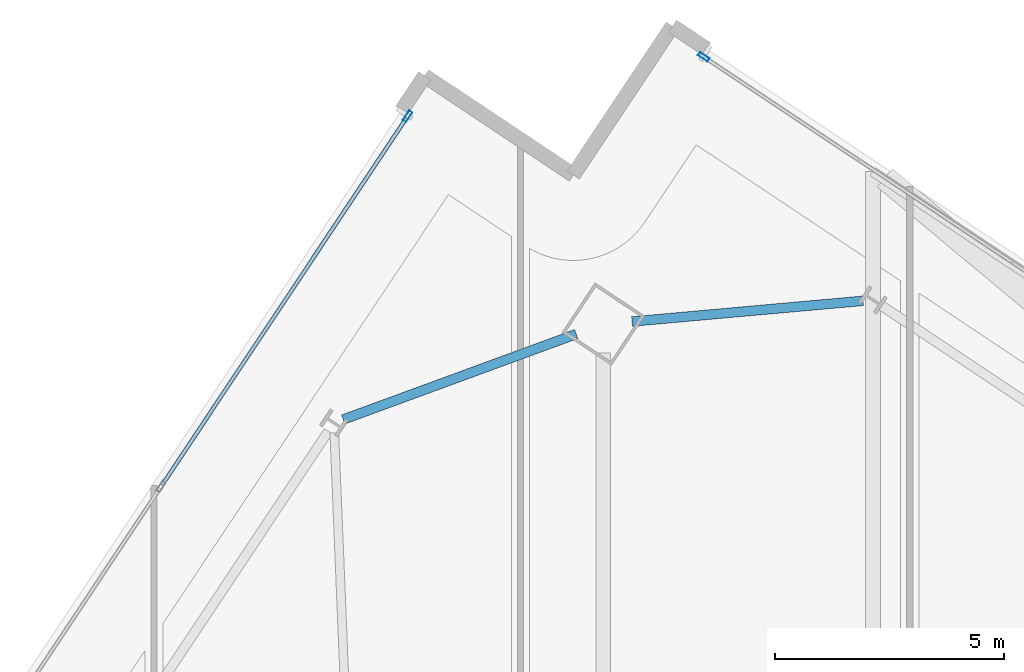
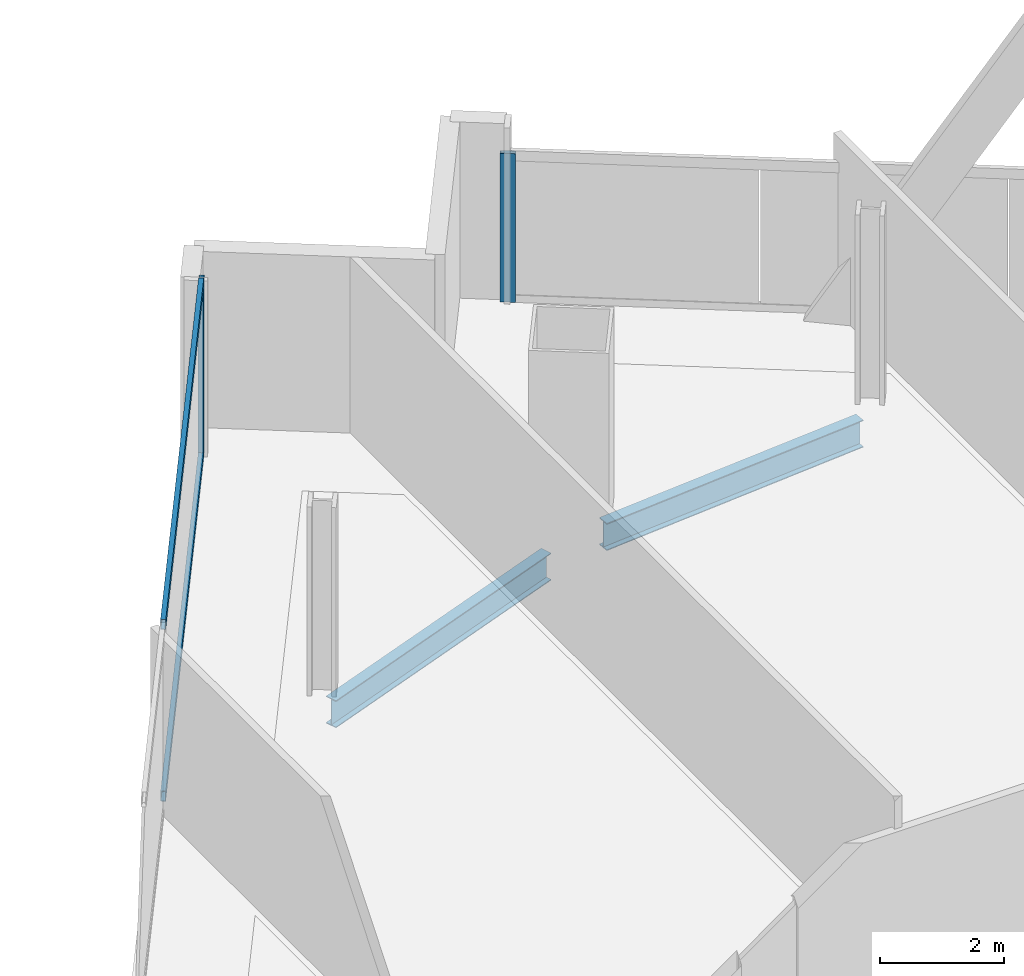
# One storey, part 16 of 32: 4 members, 2 beams, 2 elements without a shape of their own.
"""IFC4 building model written with IfcOpenShell, lengths in metres."""

import ifcopenshell
import ifcopenshell.guid

model = None  # the IFC model being written
_history = None  # IfcOwnerHistory: only IFC2X3 demands one
_inside = {}  # id of a spatial element -> (the spatial element, [elements in it])
_under = {}  # id of a project, library or spatial element -> (it, [spatial elements below it])
_declared = {}  # id of a project -> (the project, [libraries it declares])
_typed = {}  # id of a type object -> (the type object, [elements of that type])
_made_of = {}  # id of a material, layer set ... -> (it, [elements and type objects made of it])


def new_model(schema):
    """Start an empty IFC model of exactly this schema.

    Asked for "IFC4X3", IfcOpenShell would pick the latest addendum, in which some entities
    have other attributes; the version numbers below select the first issue.
    IFC2X3 requires an IfcOwnerHistory on every rooted entity: one is made here for all.
    """
    global model, _history
    if schema == "IFC4X3":
        model = ifcopenshell.file(schema_version=(4, 3, 0, 0))
    else:
        model = ifcopenshell.file(schema=schema)
    _inside.clear()
    _under.clear()
    _declared.clear()
    _typed.clear()
    _made_of.clear()
    _history = None
    if model.schema == "IFC2X3":
        org = make("IfcOrganization", Name="unknown")
        user = make(
            "IfcPersonAndOrganization",
            ThePerson=make("IfcPerson", FamilyName="unknown"),
            TheOrganization=org,
        )
        app = make(
            "IfcApplication",
            ApplicationDeveloper=org,
            Version="unknown",
            ApplicationFullName="unknown",
            ApplicationIdentifier="unknown",
        )
        _history = make(
            "IfcOwnerHistory",
            OwningUser=user,
            OwningApplication=app,
            ChangeAction="ADDED",
            CreationDate=0,
        )
    return model


def make(cls, **values):
    """One entity of the class cls with the attributes given. An attribute that is None is left unset."""
    return model.create_entity(
        cls, **{name: value for name, value in values.items() if value is not None}
    )


def rooted(cls, **values):
    """An entity with a GlobalId (a new one), such as an element, a storey or a relation."""
    return make(cls, GlobalId=ifcopenshell.guid.new(), OwnerHistory=_history, **values)


def si_unit(unit_type, name, prefix=None):
    """IfcSIUnit, for example si_unit("LENGTHUNIT", "METRE", prefix="MILLI")."""
    return make("IfcSIUnit", UnitType=unit_type, Prefix=prefix, Name=name)


def assignment(units):
    """IfcUnitAssignment: the units of a project."""
    return None if units is None else make("IfcUnitAssignment", Units=units)


def point(xyz):
    """IfcCartesianPoint."""
    return None if xyz is None else make("IfcCartesianPoint", Coordinates=xyz)


def direction(xyz):
    """IfcDirection."""
    return None if xyz is None else make("IfcDirection", DirectionRatios=xyz)


def frame(location, z_axis=None, x_axis=None):
    """IfcAxis2Placement3D, a coordinate frame: its origin and axes. An axis left out is left unset."""
    return make(
        "IfcAxis2Placement3D",
        Location=point(location),
        Axis=direction(z_axis),
        RefDirection=direction(x_axis),
    )


def frame_2d(location, x_axis=None):
    """IfcAxis2Placement2D, a coordinate frame in the plane: its origin and x axis."""
    return make(
        "IfcAxis2Placement2D", Location=point(location), RefDirection=direction(x_axis)
    )


def origin():
    """The frame at (0, 0, 0) with its axes left unset."""
    return frame((0.0, 0.0, 0.0))


def origin_2d():
    """The frame at (0, 0) in the plane with its x axis left unset."""
    return frame_2d((0.0, 0.0))


def place(relative_to, where):
    """IfcLocalPlacement: puts the frame where relative to a parent placement (None: the world)."""
    return make(
        "IfcLocalPlacement", PlacementRelTo=relative_to, RelativePlacement=where
    )


def context(
    kind, dimensions, precision=None, world=None, true_north=None, identifier=None
):
    """IfcGeometricRepresentationContext, for example the 3D "Model" context."""
    return make(
        "IfcGeometricRepresentationContext",
        ContextIdentifier=identifier,
        ContextType=kind,
        CoordinateSpaceDimension=dimensions,
        Precision=precision,
        WorldCoordinateSystem=world,
        TrueNorth=true_north,
    )


def subcontext(parent, identifier, kind, view, scale=None):
    """IfcGeometricRepresentationSubContext, for example "Body" below "Model"."""
    return make(
        "IfcGeometricRepresentationSubContext",
        ContextIdentifier=identifier,
        ContextType=kind,
        ParentContext=parent,
        TargetScale=scale,
        TargetView=view,
    )


def project(units=None, contexts=None):
    """IfcProject with its units and contexts."""
    return rooted(
        "IfcProject",
        Name="project",
        RepresentationContexts=contexts,
        UnitsInContext=assignment(units),
    )


def spatial(cls, under=None, at=None, **own):
    """A site, building, storey or space (cls), placed at a placement, below another one or the project."""
    s = rooted(cls, ObjectPlacement=at, **own)
    if under is not None:
        _under.setdefault(under.id(), (under, []))[1].append(s)
    return s


def profile(cls, at=None, kind="AREA", **sizes):
    """A parametric profile (cls). Its sizes go by their IFC names, for example OverallWidth=200.0."""
    return make(cls, ProfileType=kind, Position=at, **sizes)


def hollow_rectangle(**sizes):
    """IfcRectangleHollowProfileDef."""
    return profile("IfcRectangleHollowProfileDef", **sizes)


def i_section(**sizes):
    """IfcIShapeProfileDef."""
    return profile("IfcIShapeProfileDef", **sizes)


def extrude(swept, where, along, depth):
    """IfcExtrudedAreaSolid: the profile swept, set in the frame where, extruded along a direction by depth."""
    return make(
        "IfcExtrudedAreaSolid",
        SweptArea=swept,
        Position=where,
        ExtrudedDirection=direction(along),
        Depth=depth,
    )


def shape(context_of_items, identifier, shape_type, items):
    """IfcShapeRepresentation: the items that make up one representation, for example the "Body"."""
    return make(
        "IfcShapeRepresentation",
        ContextOfItems=context_of_items,
        RepresentationIdentifier=identifier,
        RepresentationType=shape_type,
        Items=items,
    )


def material(Name=None, Category=None):
    """IfcMaterial."""
    return make("IfcMaterial", Name=Name, Category=Category)


def material_profile(
    of_material, cross_section, Name=None, Category=None, Priority=None
):
    """IfcMaterialProfile: a cross section and its material."""
    return make(
        "IfcMaterialProfile",
        Name=Name,
        Material=of_material,
        Profile=cross_section,
        Priority=Priority,
        Category=Category,
    )


def profile_set(profiles, Name=None, composite=None):
    """IfcMaterialProfileSet."""
    return make(
        "IfcMaterialProfileSet",
        Name=Name,
        MaterialProfiles=profiles,
        CompositeProfile=composite,
    )


def made_of(thing, what):
    """Note that an element or type object is made of a material, layer set ...; save() writes the relation."""
    if what is not None:
        _made_of.setdefault(what.id(), (what, []))[1].append(thing)
    return thing


def type_object(cls, material=None, **own):
    """A type object (cls), such as IfcWallType, which elements share."""
    return made_of(rooted(cls, **own), material)


def element(
    cls,
    number,
    at=None,
    inside=None,
    cuts=None,
    type_object=None,
    material=None,
    context=None,
    identifier="Body",
    shape_type=None,
    held_by="IfcProductDefinitionShape",
    body=None,
    shapes=None,
    **own,
):
    """One element of the class cls, such as IfcWall. Its Tag is "e" and its number.

    at: its placement. inside: the storey or other place that contains it. cuts: it is an
    opening in that element (IfcRelVoidsElement). A single representation is given by context,
    identifier, shape_type and body (its items); several are given by shapes. held_by: the class
    of the entity that holds the representations. save() writes the other relations.
    """
    e = rooted(cls, Tag="e%d" % number, ObjectPlacement=at, **own)
    if body is not None:
        shapes = [shape(context, identifier, shape_type, body)]
    if shapes is not None:
        e.Representation = make(held_by, Representations=shapes)
    if inside is not None:
        _inside.setdefault(inside.id(), (inside, []))[1].append(e)
    if cuts is not None:
        rooted(
            "IfcRelVoidsElement", RelatingBuildingElement=cuts, RelatedOpeningElement=e
        )
    if type_object is not None:
        _typed.setdefault(type_object.id(), (type_object, []))[1].append(e)
    return made_of(e, material)


def aggregate(whole, parts):
    """IfcRelAggregates: a whole, such as a stair, and the parts it consists of."""
    return rooted("IfcRelAggregates", RelatingObject=whole, RelatedObjects=parts)


def save(model, path):
    """Write the relations noted so far, then the file.

    IfcRelAggregates (storeys below a building ...), IfcRelContainedInSpatialStructure (elements
    in a storey), IfcRelDefinesByType, IfcRelAssociatesMaterial and IfcRelDeclares: one each for
    every whole, place, type object, material and project.
    """
    for whole, parts in _under.values():
        aggregate(whole, parts)
    for where, things in _inside.values():
        rooted(
            "IfcRelContainedInSpatialStructure",
            RelatedElements=things,
            RelatingStructure=where,
        )
    for kind, things in _typed.values():
        rooted("IfcRelDefinesByType", RelatedObjects=things, RelatingType=kind)
    for what, things in _made_of.values():
        rooted("IfcRelAssociatesMaterial", RelatedObjects=things, RelatingMaterial=what)
    for by, libraries in _declared.values():
        rooted("IfcRelDeclares", RelatingContext=by, RelatedDefinitions=libraries)
    model.write(path)


model = new_model("IFC4")

# Units and contexts
model_context = context("Model", 3, precision=1e-05, world=origin(), true_north=direction((0.0, 1.0)))
body_context = subcontext(model_context, "Body", "Model", "MODEL_VIEW")
ifc_project = project(units=[si_unit("LENGTHUNIT", "METRE"), si_unit("AREAUNIT", "SQUARE_METRE"), si_unit("VOLUMEUNIT", "CUBIC_METRE"), si_unit("PLANEANGLEUNIT", "RADIAN"), si_unit("MASSUNIT", "GRAM", prefix="KILO")], contexts=[model_context])

# Site, building, storey
site_placement = place(None, origin())
site = spatial("IfcSite", under=ifc_project, at=site_placement, CompositionType="ELEMENT")
building_placement = place(site_placement, origin())
building = spatial("IfcBuilding", under=site, at=building_placement, Name="Haldenkirk Collegiate Tower", CompositionType="ELEMENT")
storey_placement = place(building_placement, frame((0.0, 0.0, 217.199951171875)))
storey = spatial("IfcBuildingStorey", under=building, at=storey_placement, Name="L54", CompositionType="ELEMENT", Elevation=217.199951171875)

# Beams
ifc_material_1 = material(Name="Steel ASTM A992 Grade 50", Category="steel")
ifc_material_profile_1 = material_profile(ifc_material_1, i_section(OverallWidth=0.2099609375, OverallDepth=0.537109375, WebThickness=0.010986328125, FlangeThickness=0.017333984375, at=origin_2d()), Name="W21X68")
ifc_profile_set_1 = profile_set([ifc_material_profile_1], Name="Steel ASTM A992 Grade 50")
beam_type = type_object("IfcBeamType", Name="BM-SPANDREL-W21X68", PredefinedType="SPANDREL", material=ifc_profile_set_1)
beam_1_placement = place(storey_placement, frame((37.9765625, 50.649169921875, -0.54833984375), z_axis=(-0.996001224794, -0.089339578066, 0.0), x_axis=(0.089339578066, -0.996001224794, 0.0)))
element("IfcBeam", 1, at=beam_1_placement, inside=storey, type_object=beam_type, Name="L54 perimeter spandrel beam 08", PredefinedType="SPANDREL", context=body_context, shape_type="SweptSolid", body=[
    extrude(i_section(OverallWidth=0.2099609375, OverallDepth=0.537109375, WebThickness=0.010986328125, FlangeThickness=0.017333984375, at=origin_2d()), origin(), (0.0, 0.0, 1.0), 5.06103515625),
])
beam_2_placement = place(storey_placement, frame((31.716796875, 49.923828125, -0.54833984375), z_axis=(-0.938842319963, -0.344347351153, 0.0), x_axis=(0.344347351153, -0.938842319963, 0.0)))
element("IfcBeam", 2, at=beam_2_placement, inside=storey, type_object=beam_type, Name="L54 perimeter spandrel beam 09", PredefinedType="SPANDREL", context=body_context, shape_type="SweptSolid", body=[
    extrude(i_section(OverallWidth=0.2099609375, OverallDepth=0.537109375, WebThickness=0.010986328125, FlangeThickness=0.017333984375, at=origin_2d()), origin(), (0.0, 0.0, 1.0), 5.416748046875),
])

# Curtain wall, member
ifc_material_2 = material(Name="Anodised architectural bronze aluminium", Category="aluminium")
curtain_wall_type = type_object("IfcCurtainWallType", Name="CW-SYS1B-CONVEX-HI", PredefinedType="USERDEFINED", material=ifc_material_2)
curtain_wall_1_placement = place(storey_placement, origin())
curtain_wall_1 = element("IfcCurtainWall", 3, at=curtain_wall_1_placement, inside=storey, type_object=curtain_wall_type, Name="L54 Upper tower high-wind convex bronze unitised curtain wall", ObjectType="UNITISED CURTAIN WALL", PredefinedType="USERDEFINED")
ifc_material_profile_2 = material_profile(ifc_material_2, hollow_rectangle(XDim=0.0849609375, YDim=0.25, WallThickness=0.0048828125, at=origin_2d()), Name="CW-MUL-1B")
ifc_profile_set_2 = profile_set([ifc_material_profile_2], Name="Anodised architectural bronze aluminium")
member_type_1 = type_object("IfcMemberType", Name="CW-MUL-1B", PredefinedType="MULLION", material=ifc_profile_set_2)
member_1_placement = place(storey_placement, frame((34.5, 55.9736328125, 0.0), z_axis=(0.0, 0.0, 1.0), x_axis=(0.554118725701, 0.832437648012, 0.0)))
member_1 = element("IfcMember", 4, at=member_1_placement, type_object=member_type_1, Name="CW-1B mullion 1", PredefinedType="MULLION", context=body_context, shape_type="SweptSolid", body=[
    extrude(hollow_rectangle(XDim=0.0849609375, YDim=0.25, WallThickness=0.0048828125, at=origin_2d()), origin(), (0.0, 0.0, 1.0), 2.927978515625),
])
aggregate(curtain_wall_1, [member_1])

# Curtain wall, members
curtain_wall_2_placement = place(storey_placement, origin())
curtain_wall_2 = element("IfcCurtainWall", 5, at=curtain_wall_2_placement, inside=storey, type_object=curtain_wall_type, Name="L54 Upper tower high-wind convex bronze unitised curtain wall", ObjectType="UNITISED CURTAIN WALL", PredefinedType="USERDEFINED")
member_2_placement = place(storey_placement, frame((28.03515625, 54.676025390625, 0.0), z_axis=(0.0, 0.0, 1.0), x_axis=(-0.832437073465, 0.554119588827, 0.0)))
member_2 = element("IfcMember", 6, at=member_2_placement, type_object=member_type_1, Name="CW-1B mullion 5", PredefinedType="MULLION", context=body_context, shape_type="SweptSolid", body=[
    extrude(hollow_rectangle(XDim=0.0849609375, YDim=0.25, WallThickness=0.0048828125, at=origin_2d()), origin(), (0.0, 0.0, 1.0), 3.469970703125),
])
ifc_material_profile_3 = material_profile(ifc_material_2, hollow_rectangle(XDim=0.0849609375, YDim=0.199951171875, WallThickness=0.0048828125, at=origin_2d()), Name="CW-TRN-1B")
ifc_profile_set_3 = profile_set([ifc_material_profile_3], Name="Anodised architectural bronze aluminium")
member_type_2 = type_object("IfcMemberType", Name="CW-TRN-1B", PredefinedType="USERDEFINED", material=ifc_profile_set_3)
member_3_placement = place(storey_placement, frame((22.6796875, 46.63037109375, 0.04248046875), z_axis=(0.554114561679, 0.832440419811, 0.0), x_axis=(-0.832440419811, 0.554114561679, 0.0)))
member_3 = element("IfcMember", 7, at=member_3_placement, type_object=member_type_2, Name="CW-1B transom 4.1", ObjectType="TRANSOM", PredefinedType="USERDEFINED", context=body_context, shape_type="SweptSolid", body=[
    extrude(hollow_rectangle(XDim=0.0849609375, YDim=0.199951171875, WallThickness=0.0048828125, at=origin_2d()), origin(), (0.0, 0.0, 1.0), 9.62255859375),
])
member_4_placement = place(storey_placement, frame((22.6796875, 46.63037109375, 3.427490234375), z_axis=(0.554114561679, 0.832440419811, 0.0), x_axis=(-0.832440419811, 0.554114561679, 0.0)))
member_4 = element("IfcMember", 8, at=member_4_placement, type_object=member_type_2, Name="CW-1B transom 4.2", ObjectType="TRANSOM", PredefinedType="USERDEFINED", context=body_context, shape_type="SweptSolid", body=[
    extrude(hollow_rectangle(XDim=0.0849609375, YDim=0.199951171875, WallThickness=0.0048828125, at=origin_2d()), origin(), (0.0, 0.0, 1.0), 9.62255859375),
])
aggregate(curtain_wall_2, [member_2, member_3, member_4])

save(model, "model.ifc")
